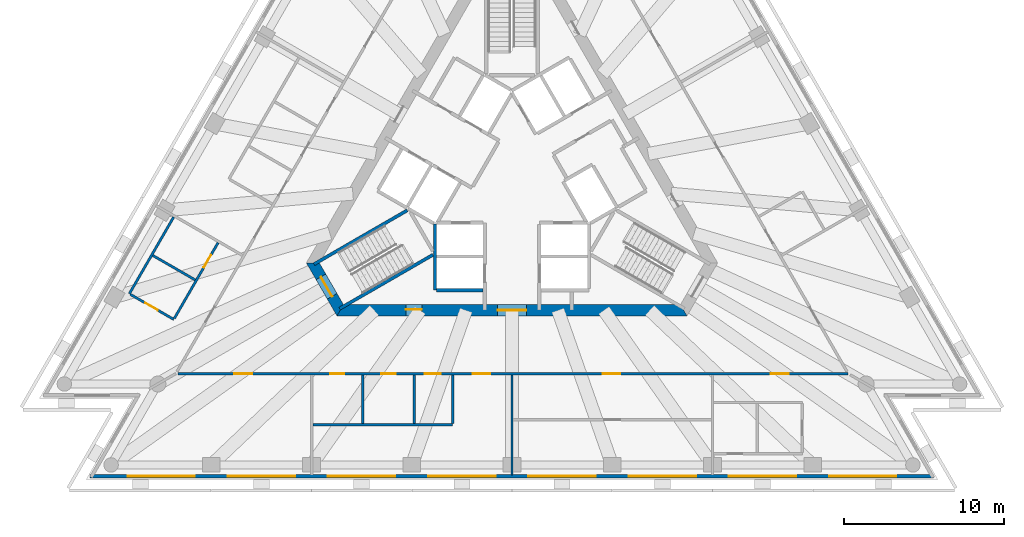
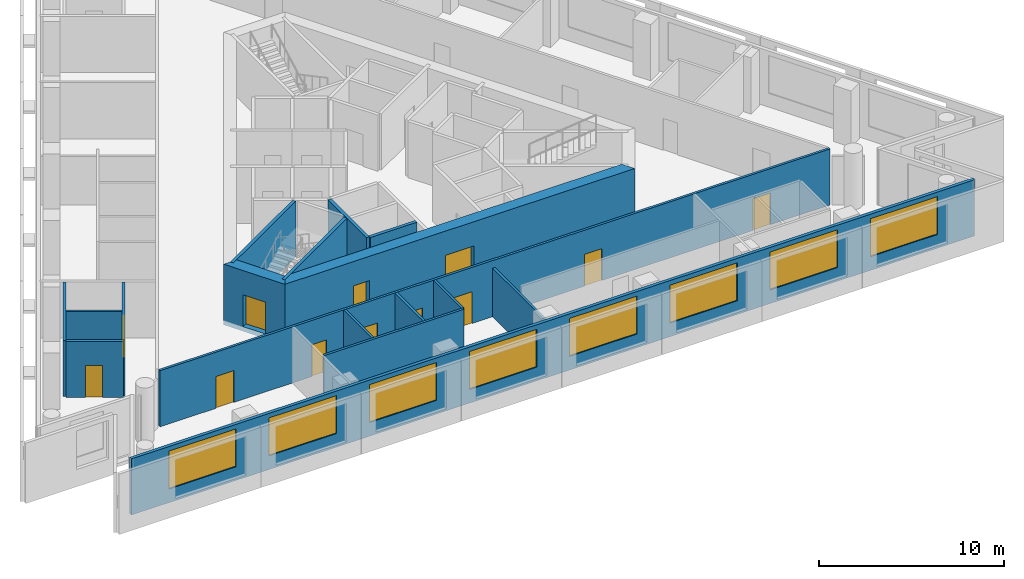
# One storey, part 3 of 10: 17 walls, 12 doors, 8 windows, 20 openings.
"""IFC4 building model written with IfcOpenShell, lengths in metres."""

from ifc_helpers import new_model, si_unit, direction, frame, frame_2d, origin, place, context, subcontext, project, spatial, polyline, rectangle, outline, extrude, material, layer, layer_set, layer_usage, type_object, element, fill, save


model = new_model("IFC4")

# Units and contexts
model_context = context("Model", 3, precision=1e-05, world=origin(), true_north=direction((0.0, 1.0)))
body_context = subcontext(model_context, "Body", "Model", "MODEL_VIEW")
ifc_project = project(units=[si_unit("LENGTHUNIT", "METRE"), si_unit("AREAUNIT", "SQUARE_METRE"), si_unit("VOLUMEUNIT", "CUBIC_METRE"), si_unit("PLANEANGLEUNIT", "RADIAN"), si_unit("MASSUNIT", "GRAM", prefix="KILO")], contexts=[model_context])

# Site, building, storey
site_placement = place(None, origin())
site = spatial("IfcSite", under=ifc_project, at=site_placement, CompositionType="ELEMENT")
building_placement = place(site_placement, origin())
building = spatial("IfcBuilding", under=site, at=building_placement, Name="Triada Interchange Tower", CompositionType="ELEMENT")
storey_placement = place(building_placement, frame((0.0, 0.0, 199.300048828125)))
storey = spatial("IfcBuildingStorey", under=building, at=storey_placement, Name="L46", CompositionType="ELEMENT", Elevation=199.300048828125)

# Walls
ifc_material_1 = material(Name="Concrete C30/37", Category="concrete")
ifc_layer_1 = layer(ifc_material_1, 0.199951171875)
ifc_layer_set_1 = layer_set([ifc_layer_1], Name="CORE WALL 200 EI 120")
wall_type_1 = type_object("IfcWallType", Name="CORE WALL 200 EI 120", PredefinedType="SOLIDWALL", material=ifc_layer_set_1)
wall_1_placement = place(storey_placement, frame((-4.800048828125, -6.89990234375, 0.0), z_axis=(0.0, 0.0, 1.0), x_axis=(0.0, 1.0, 0.0)))
element("IfcWall", 1, at=wall_1_placement, inside=storey, type_object=wall_type_1, Name="Wall L44 48", PredefinedType="SOLIDWALL", context=body_context, shape_type="SweptSolid", body=[
    extrude(rectangle(XDim=4.130859375, YDim=0.199951171875, at=frame_2d((2.0654296875, 0.0))), origin(), (0.0, 0.0, 1.0), 3.699951171875),
])
wall_2_placement = place(storey_placement, frame((-4.699951171875, -6.89990234375, 0.0), z_axis=(0.0, 0.0, 1.0), x_axis=(1.0, 0.0, 0.0)))
element("IfcWall", 2, at=wall_2_placement, inside=storey, type_object=wall_type_1, Name="Wall L44 49", PredefinedType="SOLIDWALL", context=body_context, shape_type="SweptSolid", body=[
    extrude(rectangle(XDim=2.89990234375, YDim=0.199951171875, at=frame_2d((1.449951171875, 0.0))), origin(), (0.0, 0.0, 1.0), 3.699951171875),
])
ifc_layer_2 = layer(ifc_material_1, 0.199951171875)
ifc_layer_set_2 = layer_set([ifc_layer_2], Name="CORE WALL 200 REI 240")
wall_type_2 = type_object("IfcWallType", Name="CORE WALL 200 REI 240", PredefinedType="SOLIDWALL", material=ifc_layer_set_2)
wall_3_placement = place(storey_placement, frame((-12.343994140625, -5.279052734375, 0.0), z_axis=(0.0, 0.0, 1.0), x_axis=(0.866046323291, 0.499963764601, 0.0)))
element("IfcWall", 3, at=wall_3_placement, inside=storey, type_object=wall_type_2, Name="Wall L44 88", PredefinedType="SOLIDWALL", context=body_context, shape_type="SweptSolid", body=[
    extrude(rectangle(XDim=6.71435546875, YDim=0.199951171875, at=frame_2d((3.357177734375, 0.0))), origin(), (0.0, 0.0, 1.0), 3.699951171875),
])
wall_4_placement = place(storey_placement, frame((-10.743896484375, -8.051025390625, 0.0), z_axis=(0.0, 0.0, 1.0), x_axis=(0.865983344943, 0.500072840975, 0.0)))
element("IfcWall", 4, at=wall_4_placement, inside=storey, type_object=wall_type_2, Name="Wall L44 90", PredefinedType="SOLIDWALL", context=body_context, shape_type="SweptSolid", body=[
    extrude(rectangle(XDim=6.71484375, YDim=0.199951171875, at=frame_2d((3.357421875, 0.0))), origin(), (0.0, 0.0, 1.0), 3.699951171875),
])

# Wall, opening, door
ifc_material_2 = material(Name="Concrete C50/60", Category="concrete")
ifc_layer_3 = layer(ifc_material_2, 0.699951171875)
ifc_layer_set_3 = layer_set([ifc_layer_3], Name="Core wall C 700")
wall_type_3 = type_object("IfcWallType", Name="Core wall C 700", PredefinedType="SHEAR", material=ifc_layer_set_3)
wall_5_placement = place(storey_placement, frame((-12.4130859375, -5.199951171875, -0.300048828125), z_axis=(0.0, 0.0, 1.0), x_axis=(0.49999337185, -0.866029230515, 0.0)))
wall_5 = element("IfcWall", 5, at=wall_5_placement, inside=storey, type_object=wall_type_3, Name="Core wall WC03 L46", PredefinedType="SHEAR", context=body_context, shape_type="SweptSolid", body=[
    extrude(outline(polyline([(-0.201904296875, -0.35009765625), (1.703125, -0.35009765625), (3.60791015625, -0.35009765625), (3.2041015625, 0.35009765625), (1.703125, 0.35009765625), (0.201904296875, 0.35009765625), (-0.201904296875, -0.35009765625)])), origin(), (0.0, 0.0, 1.0), 4.0),
])
opening_1_placement = place(wall_5_placement, frame((1.0029296875, 0.0, 0.300048828125)))
opening_1 = element("IfcOpeningElement", 6, at=opening_1_placement, cuts=wall_5, Name="Opening D44-41", PredefinedType="OPENING", context=body_context, shape_type="SweptSolid", body=[
    extrude(rectangle(XDim=1.39990234375, YDim=2.10009765625, at=frame_2d((0.699951171875, 1.050048828125))), frame((0.0, 0.360107421875, 0.0), z_axis=(0.0, -1.0, 0.0), x_axis=(1.0, 0.0, 0.0)), (0.0, 0.0, 1.0), 0.72021484375),
])
ifc_material_3 = material(Name="Steel S235 door leaf", Category="steel")
door_type_1 = type_object("IfcDoorType", Name="STAIR DOOR 1400 EI2 90-C5S200", OperationType="DOUBLE_DOOR_SINGLE_SWING", PredefinedType="DOOR", material=ifc_material_3)
door_1_placement = place(opening_1_placement, origin())
door_1 = element("IfcDoor", 7, at=door_1_placement, inside=storey, type_object=door_type_1, Name="Door D44-41 L46", OperationType="DOUBLE_DOOR_SINGLE_SWING", OverallHeight=2.10009765625, OverallWidth=1.39990234375, PredefinedType="DOOR", context=body_context, shape_type="SweptSolid", body=[
    extrude(rectangle(XDim=1.39990234375, YDim=2.10009765625, at=frame_2d((0.699951171875, 1.050048828125))), frame((0.0, 0.02490234375, 0.0), z_axis=(0.0, -1.0, 0.0), x_axis=(1.0, 0.0, 0.0)), (0.0, 0.0, 1.0), 0.050048828125),
])
fill(opening_1, door_1)

# Wall, openings, doors
wall_6_placement = place(storey_placement, frame((-10.7099609375, -8.14990234375, -0.300048828125), z_axis=(0.0, 0.0, 1.0), x_axis=(1.0, 0.0, 0.0)))
wall_6 = element("IfcWall", 8, at=wall_6_placement, inside=storey, type_object=wall_type_3, Name="Core wall WC04 L46", PredefinedType="SHEAR", context=body_context, shape_type="SweptSolid", body=[
    extrude(outline(polyline([(-0.201904296875, -0.35009765625), (1.781982421875, -0.35009765625), (3.76611328125, -0.35009765625), (5.75, -0.35009765625), (7.734130859375, -0.35009765625), (9.718017578125, -0.35009765625), (11.7021484375, -0.35009765625), (13.68603515625, -0.35009765625), (15.670166015625, -0.35009765625), (17.654052734375, -0.35009765625), (19.63818359375, -0.35009765625), (21.6220703125, -0.35009765625), (21.218017578125, 0.35009765625), (19.307373046875, 0.35009765625), (17.39697265625, 0.35009765625), (15.486328125, 0.35009765625), (13.57568359375, 0.35009765625), (11.665283203125, 0.35009765625), (9.754638671875, 0.35009765625), (7.84423828125, 0.35009765625), (5.93359375, 0.35009765625), (4.02294921875, 0.35009765625), (2.112548828125, 0.35009765625), (0.201904296875, 0.35009765625), (-0.201904296875, -0.35009765625)])), origin(), (0.0, 0.0, 1.0), 4.0),
])
opening_2_placement = place(wall_6_placement, frame((9.81005859375, 0.0, 0.300048828125)))
opening_2 = element("IfcOpeningElement", 9, at=opening_2_placement, cuts=wall_6, Name="Opening D44-39", PredefinedType="OPENING", context=body_context, shape_type="SweptSolid", body=[
    extrude(rectangle(XDim=1.800048828125, YDim=2.10009765625, at=frame_2d((0.89990234375, 1.050048828125))), frame((0.0, 0.360107421875, 0.0), z_axis=(0.0, -1.0, 0.0), x_axis=(1.0, 0.0, 0.0)), (0.0, 0.0, 1.0), 0.72021484375),
])
opening_3_placement = place(wall_6_placement, frame((4.090087890625, 0.0, 0.300048828125)))
opening_3 = element("IfcOpeningElement", 10, at=opening_3_placement, cuts=wall_6, Name="Opening D44-44", PredefinedType="OPENING", context=body_context, shape_type="SweptSolid", body=[
    extrude(rectangle(XDim=1.0, YDim=2.10009765625, at=frame_2d((0.5, 1.050048828125))), frame((0.0, 0.360107421875, 0.0), z_axis=(0.0, -1.0, 0.0), x_axis=(1.0, 0.0, 0.0)), (0.0, 0.0, 1.0), 0.72021484375),
])
door_type_2 = type_object("IfcDoorType", Name="LOBBY DOOR 1800 EI2 90-C5S200", OperationType="DOUBLE_DOOR_SINGLE_SWING", PredefinedType="DOOR", material=ifc_material_3)
door_2_placement = place(opening_2_placement, origin())
door_2 = element("IfcDoor", 11, at=door_2_placement, inside=storey, type_object=door_type_2, Name="Door D44-39 L46", OperationType="DOUBLE_DOOR_SINGLE_SWING", OverallHeight=2.10009765625, OverallWidth=1.800048828125, PredefinedType="DOOR", context=body_context, shape_type="SweptSolid", body=[
    extrude(rectangle(XDim=1.800048828125, YDim=2.10009765625, at=frame_2d((0.89990234375, 1.050048828125))), frame((0.0, 0.02490234375, 0.0), z_axis=(0.0, -1.0, 0.0), x_axis=(1.0, 0.0, 0.0)), (0.0, 0.0, 1.0), 0.050048828125),
])
fill(opening_2, door_2)
door_type_3 = type_object("IfcDoorType", Name="SERVICE DOOR 1000 EI2 45-C5S200", OperationType="NOTDEFINED", PredefinedType="DOOR", material=ifc_material_3)
door_3_placement = place(opening_3_placement, origin())
door_3 = element("IfcDoor", 12, at=door_3_placement, inside=storey, type_object=door_type_3, Name="Door D44-44 L46", OperationType="SINGLE_SWING_RIGHT", OverallHeight=2.10009765625, OverallWidth=1.0, PredefinedType="DOOR", context=body_context, shape_type="SweptSolid", body=[
    extrude(rectangle(XDim=1.0, YDim=2.10009765625, at=frame_2d((0.5, 1.050048828125))), frame((0.0, 0.0751953125, 0.0), z_axis=(0.0, -1.0, 0.0), x_axis=(1.0, 0.0, 0.0)), (0.0, 0.0, 1.0), 0.050048828125),
])
fill(opening_3, door_3)

# Wall, openings, windows
ifc_material_4 = material(Name="Cement board")
ifc_layer_4 = layer(ifc_material_4, 0.02001953125, Name="Cement board cladding")
ifc_material_5 = material(Name="Sheathing board")
ifc_layer_5 = layer(ifc_material_5, 0.014892578125, Name="Sheathing board")
ifc_material_6 = material(Name="Mineral wool")
ifc_layer_6 = layer(ifc_material_6, 0.14990234375, Name="Mineral wool between steel studs")
ifc_material_7 = material(Name="Gypsum board")
ifc_layer_7 = layer(ifc_material_7, 0.014892578125, Name="Plasterboard lining")
ifc_layer_set_4 = layer_set([ifc_layer_4, ifc_layer_5, ifc_layer_6, ifc_layer_7], Name="External wall 200")
ifc_layer_usage = layer_usage(ifc_layer_set_4, "AXIS2", "POSITIVE", -0.10009765625)
wall_type_4 = type_object("IfcWallType", Name="External wall 200", PredefinedType="ELEMENTEDWALL", material=ifc_layer_set_4)
wall_7_placement = place(storey_placement, frame((-26.2958984375, -18.4951171875, 0.0), z_axis=(0.0, 0.0, 1.0), x_axis=(1.0, 0.0, 0.0)))
wall_7 = element("IfcWall", 13, at=wall_7_placement, inside=storey, type_object=wall_type_4, material=ifc_layer_usage, Name="External wall L46 S", PredefinedType="ELEMENTEDWALL", context=body_context, shape_type="SweptSolid", body=[
    extrude(rectangle(XDim=52.57177734375, YDim=0.199951171875, at=frame_2d((26.285888671875, 0.0))), origin(), (0.0, 0.0, 1.0), 3.699951171875),
])
opening_4_placement = place(wall_7_placement, frame((2.326904296875, 0.0, 0.89990234375)))
opening_4 = element("IfcOpeningElement", 14, at=opening_4_placement, cuts=wall_7, Name="Opening WC11", PredefinedType="OPENING", context=body_context, shape_type="SweptSolid", body=[
    extrude(rectangle(XDim=4.199951171875, YDim=2.5, at=frame_2d((2.10009765625, 1.25))), frame((0.0, 0.10986328125, 0.0), z_axis=(0.0, -1.0, 0.0), x_axis=(1.0, 0.0, 0.0)), (0.0, 0.0, 1.0), 0.219970703125),
])
opening_5_placement = place(wall_7_placement, frame((8.574951171875, 0.0, 0.89990234375)))
opening_5 = element("IfcOpeningElement", 15, at=opening_5_placement, cuts=wall_7, Name="Opening WC12", PredefinedType="OPENING", context=body_context, shape_type="SweptSolid", body=[
    extrude(rectangle(XDim=4.199951171875, YDim=2.5, at=frame_2d((2.10009765625, 1.25))), frame((0.0, 0.10986328125, 0.0), z_axis=(0.0, -1.0, 0.0), x_axis=(1.0, 0.0, 0.0)), (0.0, 0.0, 1.0), 0.219970703125),
])
opening_6_placement = place(wall_7_placement, frame((14.823974609375, 0.0, 0.89990234375)))
opening_6 = element("IfcOpeningElement", 16, at=opening_6_placement, cuts=wall_7, Name="Opening WC13", PredefinedType="OPENING", context=body_context, shape_type="SweptSolid", body=[
    extrude(rectangle(XDim=4.199951171875, YDim=2.5, at=frame_2d((2.10009765625, 1.25))), frame((0.0, 0.10986328125, 0.0), z_axis=(0.0, -1.0, 0.0), x_axis=(1.0, 0.0, 0.0)), (0.0, 0.0, 1.0), 0.219970703125),
])
opening_7_placement = place(wall_7_placement, frame((21.072021484375, 0.0, 0.89990234375)))
opening_7 = element("IfcOpeningElement", 17, at=opening_7_placement, cuts=wall_7, Name="Opening WC14", PredefinedType="OPENING", context=body_context, shape_type="SweptSolid", body=[
    extrude(rectangle(XDim=4.199951171875, YDim=2.5, at=frame_2d((2.10009765625, 1.25))), frame((0.0, 0.10986328125, 0.0), z_axis=(0.0, -1.0, 0.0), x_axis=(1.0, 0.0, 0.0)), (0.0, 0.0, 1.0), 0.219970703125),
])
opening_8_placement = place(wall_7_placement, frame((27.320068359375, 0.0, 0.89990234375)))
opening_8 = element("IfcOpeningElement", 18, at=opening_8_placement, cuts=wall_7, Name="Opening WC15", PredefinedType="OPENING", context=body_context, shape_type="SweptSolid", body=[
    extrude(rectangle(XDim=4.199951171875, YDim=2.5, at=frame_2d((2.10009765625, 1.25))), frame((0.0, 0.10986328125, 0.0), z_axis=(0.0, -1.0, 0.0), x_axis=(1.0, 0.0, 0.0)), (0.0, 0.0, 1.0), 0.219970703125),
])
opening_9_placement = place(wall_7_placement, frame((33.568115234375, 0.0, 0.89990234375)))
opening_9 = element("IfcOpeningElement", 19, at=opening_9_placement, cuts=wall_7, Name="Opening WC16", PredefinedType="OPENING", context=body_context, shape_type="SweptSolid", body=[
    extrude(rectangle(XDim=4.199951171875, YDim=2.5, at=frame_2d((2.10009765625, 1.25))), frame((0.0, 0.10986328125, 0.0), z_axis=(0.0, -1.0, 0.0), x_axis=(1.0, 0.0, 0.0)), (0.0, 0.0, 1.0), 0.219970703125),
])
opening_10_placement = place(wall_7_placement, frame((39.81689453125, 0.0, 0.89990234375)))
opening_10 = element("IfcOpeningElement", 20, at=opening_10_placement, cuts=wall_7, Name="Opening WC17", PredefinedType="OPENING", context=body_context, shape_type="SweptSolid", body=[
    extrude(rectangle(XDim=4.199951171875, YDim=2.5, at=frame_2d((2.10009765625, 1.25))), frame((0.0, 0.10986328125, 0.0), z_axis=(0.0, -1.0, 0.0), x_axis=(1.0, 0.0, 0.0)), (0.0, 0.0, 1.0), 0.219970703125),
])
opening_11_placement = place(wall_7_placement, frame((46.06494140625, 0.0, 0.89990234375)))
opening_11 = element("IfcOpeningElement", 21, at=opening_11_placement, cuts=wall_7, Name="Opening WC18", PredefinedType="OPENING", context=body_context, shape_type="SweptSolid", body=[
    extrude(rectangle(XDim=4.199951171875, YDim=2.5, at=frame_2d((2.10009765625, 1.25))), frame((0.0, 0.10986328125, 0.0), z_axis=(0.0, -1.0, 0.0), x_axis=(1.0, 0.0, 0.0)), (0.0, 0.0, 1.0), 0.219970703125),
])
ifc_material_8 = material(Name="Double glazed aluminium window", Category="aluminium")
window_type = type_object("IfcWindowType", Name="Ribbon window C face", PartitioningType="SINGLE_PANEL", PredefinedType="WINDOW", material=ifc_material_8)
window_1_placement = place(opening_4_placement, origin())
window_1 = element("IfcWindow", 22, at=window_1_placement, inside=storey, type_object=window_type, Name="Window L46 S 1", OverallHeight=2.5, OverallWidth=4.199951171875, PartitioningType="SINGLE_PANEL", PredefinedType="WINDOW", context=body_context, shape_type="SweptSolid", body=[
    extrude(rectangle(XDim=4.199951171875, YDim=2.5, at=frame_2d((2.10009765625, 1.25))), frame((0.0, 0.030029296875, 0.0), z_axis=(0.0, -1.0, 0.0), x_axis=(1.0, 0.0, 0.0)), (0.0, 0.0, 1.0), 0.06005859375),
])
fill(opening_4, window_1)
window_2_placement = place(opening_5_placement, origin())
window_2 = element("IfcWindow", 23, at=window_2_placement, inside=storey, type_object=window_type, Name="Window L46 S 2", OverallHeight=2.5, OverallWidth=4.199951171875, PartitioningType="SINGLE_PANEL", PredefinedType="WINDOW", context=body_context, shape_type="SweptSolid", body=[
    extrude(rectangle(XDim=4.199951171875, YDim=2.5, at=frame_2d((2.10009765625, 1.25))), frame((0.0, 0.030029296875, 0.0), z_axis=(0.0, -1.0, 0.0), x_axis=(1.0, 0.0, 0.0)), (0.0, 0.0, 1.0), 0.06005859375),
])
fill(opening_5, window_2)
window_3_placement = place(opening_6_placement, origin())
window_3 = element("IfcWindow", 24, at=window_3_placement, inside=storey, type_object=window_type, Name="Window L46 S 3", OverallHeight=2.5, OverallWidth=4.199951171875, PartitioningType="SINGLE_PANEL", PredefinedType="WINDOW", context=body_context, shape_type="SweptSolid", body=[
    extrude(rectangle(XDim=4.199951171875, YDim=2.5, at=frame_2d((2.10009765625, 1.25))), frame((0.0, 0.030029296875, 0.0), z_axis=(0.0, -1.0, 0.0), x_axis=(1.0, 0.0, 0.0)), (0.0, 0.0, 1.0), 0.06005859375),
])
fill(opening_6, window_3)
window_4_placement = place(opening_7_placement, origin())
window_4 = element("IfcWindow", 25, at=window_4_placement, inside=storey, type_object=window_type, Name="Window L46 S 4", OverallHeight=2.5, OverallWidth=4.199951171875, PartitioningType="SINGLE_PANEL", PredefinedType="WINDOW", context=body_context, shape_type="SweptSolid", body=[
    extrude(rectangle(XDim=4.199951171875, YDim=2.5, at=frame_2d((2.10009765625, 1.25))), frame((0.0, 0.030029296875, 0.0), z_axis=(0.0, -1.0, 0.0), x_axis=(1.0, 0.0, 0.0)), (0.0, 0.0, 1.0), 0.06005859375),
])
fill(opening_7, window_4)
window_5_placement = place(opening_8_placement, origin())
window_5 = element("IfcWindow", 26, at=window_5_placement, inside=storey, type_object=window_type, Name="Window L46 S 5", OverallHeight=2.5, OverallWidth=4.199951171875, PartitioningType="SINGLE_PANEL", PredefinedType="WINDOW", context=body_context, shape_type="SweptSolid", body=[
    extrude(rectangle(XDim=4.199951171875, YDim=2.5, at=frame_2d((2.10009765625, 1.25))), frame((0.0, 0.030029296875, 0.0), z_axis=(0.0, -1.0, 0.0), x_axis=(1.0, 0.0, 0.0)), (0.0, 0.0, 1.0), 0.06005859375),
])
fill(opening_8, window_5)
window_6_placement = place(opening_9_placement, origin())
window_6 = element("IfcWindow", 27, at=window_6_placement, inside=storey, type_object=window_type, Name="Window L46 S 6", OverallHeight=2.5, OverallWidth=4.199951171875, PartitioningType="SINGLE_PANEL", PredefinedType="WINDOW", context=body_context, shape_type="SweptSolid", body=[
    extrude(rectangle(XDim=4.199951171875, YDim=2.5, at=frame_2d((2.10009765625, 1.25))), frame((0.0, 0.030029296875, 0.0), z_axis=(0.0, -1.0, 0.0), x_axis=(1.0, 0.0, 0.0)), (0.0, 0.0, 1.0), 0.06005859375),
])
fill(opening_9, window_6)
window_7_placement = place(opening_10_placement, origin())
window_7 = element("IfcWindow", 28, at=window_7_placement, inside=storey, type_object=window_type, Name="Window L46 S 7", OverallHeight=2.5, OverallWidth=4.199951171875, PartitioningType="SINGLE_PANEL", PredefinedType="WINDOW", context=body_context, shape_type="SweptSolid", body=[
    extrude(rectangle(XDim=4.199951171875, YDim=2.5, at=frame_2d((2.10009765625, 1.25))), frame((0.0, 0.030029296875, 0.0), z_axis=(0.0, -1.0, 0.0), x_axis=(1.0, 0.0, 0.0)), (0.0, 0.0, 1.0), 0.06005859375),
])
fill(opening_10, window_7)
window_8_placement = place(opening_11_placement, origin())
window_8 = element("IfcWindow", 29, at=window_8_placement, inside=storey, type_object=window_type, Name="Window L46 S 8", OverallHeight=2.5, OverallWidth=4.199951171875, PartitioningType="SINGLE_PANEL", PredefinedType="WINDOW", context=body_context, shape_type="SweptSolid", body=[
    extrude(rectangle(XDim=4.199951171875, YDim=2.5, at=frame_2d((2.10009765625, 1.25))), frame((0.0, 0.030029296875, 0.0), z_axis=(0.0, -1.0, 0.0), x_axis=(1.0, 0.0, 0.0)), (0.0, 0.0, 1.0), 0.06005859375),
])
fill(opening_11, window_8)

# Wall, openings, doors
ifc_material_9 = material(Name="Gypsum board partition")
ifc_layer_8 = layer(ifc_material_9, 0.14990234375)
ifc_layer_set_5 = layer_set([ifc_layer_8], Name="PARTITION 150 EI 180")
wall_type_5 = type_object("IfcWallType", Name="PARTITION 150 EI 180", PredefinedType="PARTITIONING", material=ifc_layer_set_5)
wall_8_placement = place(storey_placement, frame((-20.80810546875, -12.10009765625, 0.0), z_axis=(0.0, 0.0, 1.0), x_axis=(1.0, 0.0, 0.0)))
wall_8 = element("IfcWall", 30, at=wall_8_placement, inside=storey, type_object=wall_type_5, Name="Wall L44 5", PredefinedType="PARTITIONING", context=body_context, shape_type="SweptSolid", body=[
    extrude(rectangle(XDim=41.76611328125, YDim=0.14990234375, at=frame_2d((20.883056640625, 0.0))), origin(), (0.0, 0.0, 1.0), 3.699951171875),
])
opening_12_placement = place(wall_8_placement, frame((3.5, 0.0, 0.0)))
opening_12 = element("IfcOpeningElement", 31, at=opening_12_placement, cuts=wall_8, Name="Opening D44-11", PredefinedType="OPENING", context=body_context, shape_type="SweptSolid", body=[
    extrude(rectangle(XDim=1.10009765625, YDim=2.10009765625, at=frame_2d((0.550048828125, 1.050048828125))), frame((0.0, 0.0849609375, 0.0), z_axis=(0.0, -1.0, 0.0), x_axis=(1.0, 0.0, 0.0)), (0.0, 0.0, 1.0), 0.169921875),
])
opening_13_placement = place(wall_8_placement, frame((18.362060546875, 0.0, 0.0)))
opening_13 = element("IfcOpeningElement", 32, at=opening_13_placement, cuts=wall_8, Name="Opening D44-12", PredefinedType="OPENING", context=body_context, shape_type="SweptSolid", body=[
    extrude(rectangle(XDim=1.10009765625, YDim=2.10009765625, at=frame_2d((0.550048828125, 1.050048828125))), frame((0.0, 0.0849609375, 0.0), z_axis=(0.0, -1.0, 0.0), x_axis=(1.0, 0.0, 0.0)), (0.0, 0.0, 1.0), 0.169921875),
])
opening_14_placement = place(wall_8_placement, frame((9.4619140625, 0.0, 0.0)))
opening_14 = element("IfcOpeningElement", 33, at=opening_14_placement, cuts=wall_8, Name="Opening D44-13", PredefinedType="OPENING", context=body_context, shape_type="SweptSolid", body=[
    extrude(rectangle(XDim=0.89990234375, YDim=2.10009765625, at=frame_2d((0.449951171875, 1.050048828125))), frame((0.0, 0.0849609375, 0.0), z_axis=(0.0, -1.0, 0.0), x_axis=(1.0, 0.0, 0.0)), (0.0, 0.0, 1.0), 0.169921875),
])
opening_15_placement = place(wall_8_placement, frame((12.662109375, 0.0, 0.0)))
opening_15 = element("IfcOpeningElement", 34, at=opening_15_placement, cuts=wall_8, Name="Opening D44-14", PredefinedType="OPENING", context=body_context, shape_type="SweptSolid", body=[
    extrude(rectangle(XDim=0.89990234375, YDim=2.10009765625, at=frame_2d((0.449951171875, 1.050048828125))), frame((0.0, 0.0849609375, 0.0), z_axis=(0.0, -1.0, 0.0), x_axis=(1.0, 0.0, 0.0)), (0.0, 0.0, 1.0), 0.169921875),
])
opening_16_placement = place(wall_8_placement, frame((15.362060546875, 0.0, 0.0)))
opening_16 = element("IfcOpeningElement", 35, at=opening_16_placement, cuts=wall_8, Name="Opening D44-15", PredefinedType="OPENING", context=body_context, shape_type="SweptSolid", body=[
    extrude(rectangle(XDim=1.0, YDim=2.10009765625, at=frame_2d((0.5, 1.050048828125))), frame((0.0, 0.0849609375, 0.0), z_axis=(0.0, -1.0, 0.0), x_axis=(1.0, 0.0, 0.0)), (0.0, 0.0, 1.0), 0.169921875),
])
opening_17_placement = place(wall_8_placement, frame((26.4580078125, 0.0, 0.0)))
opening_17 = element("IfcOpeningElement", 36, at=opening_17_placement, cuts=wall_8, Name="Opening D44-16", PredefinedType="OPENING", context=body_context, shape_type="SweptSolid", body=[
    extrude(rectangle(XDim=1.10009765625, YDim=2.10009765625, at=frame_2d((0.550048828125, 1.050048828125))), frame((0.0, 0.0849609375, 0.0), z_axis=(0.0, -1.0, 0.0), x_axis=(1.0, 0.0, 0.0)), (0.0, 0.0, 1.0), 0.169921875),
])
opening_18_placement = place(wall_8_placement, frame((36.955078125, 0.0, 0.0)))
opening_18 = element("IfcOpeningElement", 37, at=opening_18_placement, cuts=wall_8, Name="Opening D44-18", PredefinedType="OPENING", context=body_context, shape_type="SweptSolid", body=[
    extrude(rectangle(XDim=1.10009765625, YDim=2.10009765625, at=frame_2d((0.550048828125, 1.050048828125))), frame((0.0, 0.0849609375, 0.0), z_axis=(0.0, -1.0, 0.0), x_axis=(1.0, 0.0, 0.0)), (0.0, 0.0, 1.0), 0.169921875),
])
door_type_4 = type_object("IfcDoorType", Name="ROOM DOOR 1000 EI2 90-C5S200", OperationType="NOTDEFINED", PredefinedType="DOOR", material=ifc_material_3)
door_4_placement = place(opening_16_placement, origin())
door_4 = element("IfcDoor", 38, at=door_4_placement, inside=storey, type_object=door_type_4, Name="Door D44-15 L46", OperationType="SINGLE_SWING_LEFT", OverallHeight=2.10009765625, OverallWidth=1.0, PredefinedType="DOOR", context=body_context, shape_type="SweptSolid", body=[
    extrude(rectangle(XDim=1.0, YDim=2.10009765625, at=frame_2d((0.5, 1.050048828125))), frame((0.0, 0.02490234375, 0.0), z_axis=(0.0, -1.0, 0.0), x_axis=(1.0, 0.0, 0.0)), (0.0, 0.0, 1.0), 0.050048828125),
])
fill(opening_16, door_4)
door_type_5 = type_object("IfcDoorType", Name="ROOM DOOR 900 EI2 90-C5S200", OperationType="NOTDEFINED", PredefinedType="DOOR", material=ifc_material_3)
door_5_placement = place(opening_14_placement, origin())
door_5 = element("IfcDoor", 39, at=door_5_placement, inside=storey, type_object=door_type_5, Name="Door D44-13 L46", OperationType="SINGLE_SWING_RIGHT", OverallHeight=2.10009765625, OverallWidth=0.89990234375, PredefinedType="DOOR", context=body_context, shape_type="SweptSolid", body=[
    extrude(rectangle(XDim=0.89990234375, YDim=2.10009765625, at=frame_2d((0.449951171875, 1.050048828125))), frame((0.0, 0.02490234375, 0.0), z_axis=(0.0, -1.0, 0.0), x_axis=(1.0, 0.0, 0.0)), (0.0, 0.0, 1.0), 0.050048828125),
])
fill(opening_14, door_5)
door_6_placement = place(opening_15_placement, origin())
door_6 = element("IfcDoor", 40, at=door_6_placement, inside=storey, type_object=door_type_5, Name="Door D44-14 L46", OperationType="SINGLE_SWING_RIGHT", OverallHeight=2.10009765625, OverallWidth=0.89990234375, PredefinedType="DOOR", context=body_context, shape_type="SweptSolid", body=[
    extrude(rectangle(XDim=0.89990234375, YDim=2.10009765625, at=frame_2d((0.449951171875, 1.050048828125))), frame((0.0, 0.02490234375, 0.0), z_axis=(0.0, -1.0, 0.0), x_axis=(1.0, 0.0, 0.0)), (0.0, 0.0, 1.0), 0.050048828125),
])
fill(opening_15, door_6)
door_type_6 = type_object("IfcDoorType", Name="TENANCY ENTRANCE DOOR 1100 EI2 90-C5S200", OperationType="NOTDEFINED", PredefinedType="DOOR", material=ifc_material_3)
door_7_placement = place(opening_12_placement, origin())
door_7 = element("IfcDoor", 41, at=door_7_placement, inside=storey, type_object=door_type_6, Name="Door D44-11 L46", OperationType="SINGLE_SWING_RIGHT", OverallHeight=2.10009765625, OverallWidth=1.10009765625, PredefinedType="DOOR", context=body_context, shape_type="SweptSolid", body=[
    extrude(rectangle(XDim=1.10009765625, YDim=2.10009765625, at=frame_2d((0.550048828125, 1.050048828125))), frame((0.0, 0.02490234375, 0.0), z_axis=(0.0, -1.0, 0.0), x_axis=(1.0, 0.0, 0.0)), (0.0, 0.0, 1.0), 0.050048828125),
])
fill(opening_12, door_7)
door_8_placement = place(opening_13_placement, origin())
door_8 = element("IfcDoor", 42, at=door_8_placement, inside=storey, type_object=door_type_6, Name="Door D44-12 L46", OperationType="SINGLE_SWING_LEFT", OverallHeight=2.10009765625, OverallWidth=1.10009765625, PredefinedType="DOOR", context=body_context, shape_type="SweptSolid", body=[
    extrude(rectangle(XDim=1.10009765625, YDim=2.10009765625, at=frame_2d((0.550048828125, 1.050048828125))), frame((0.0, 0.02490234375, 0.0), z_axis=(0.0, -1.0, 0.0), x_axis=(1.0, 0.0, 0.0)), (0.0, 0.0, 1.0), 0.050048828125),
])
fill(opening_13, door_8)
door_9_placement = place(opening_17_placement, origin())
door_9 = element("IfcDoor", 43, at=door_9_placement, inside=storey, type_object=door_type_6, Name="Door D44-16 L46", OperationType="SINGLE_SWING_LEFT", OverallHeight=2.10009765625, OverallWidth=1.10009765625, PredefinedType="DOOR", context=body_context, shape_type="SweptSolid", body=[
    extrude(rectangle(XDim=1.10009765625, YDim=2.10009765625, at=frame_2d((0.550048828125, 1.050048828125))), frame((0.0, 0.02490234375, 0.0), z_axis=(0.0, -1.0, 0.0), x_axis=(1.0, 0.0, 0.0)), (0.0, 0.0, 1.0), 0.050048828125),
])
fill(opening_17, door_9)
door_10_placement = place(opening_18_placement, origin())
door_10 = element("IfcDoor", 44, at=door_10_placement, inside=storey, type_object=door_type_6, Name="Door D44-18 L46", OperationType="SINGLE_SWING_LEFT", OverallHeight=2.10009765625, OverallWidth=1.10009765625, PredefinedType="DOOR", context=body_context, shape_type="SweptSolid", body=[
    extrude(rectangle(XDim=1.10009765625, YDim=2.10009765625, at=frame_2d((0.550048828125, 1.050048828125))), frame((0.0, 0.02490234375, 0.0), z_axis=(0.0, -1.0, 0.0), x_axis=(1.0, 0.0, 0.0)), (0.0, 0.0, 1.0), 0.050048828125),
])
fill(opening_18, door_10)

# Walls
wall_9_placement = place(storey_placement, frame((-12.4208984375, -15.297119140625, 0.0), z_axis=(0.0, 0.0, 1.0), x_axis=(1.0, 0.0, 0.0)))
element("IfcWall", 45, at=wall_9_placement, inside=storey, type_object=wall_type_5, Name="Wall L44 14", PredefinedType="PARTITIONING", context=body_context, shape_type="SweptSolid", body=[
    extrude(rectangle(XDim=8.724853515625, YDim=0.14990234375, at=frame_2d((4.3623046875, 0.0))), origin(), (0.0, 0.0, 1.0), 3.699951171875),
])
for number, where, z_axis, x_axis, name in (
    (46, (-9.2958984375, -15.221923828125, 0.0), (0.0, 0.0, 1.0), (0.0, 1.0, 0.0), "Wall L44 16"),
    (47, (-3.696044921875, -15.221923828125, 0.0), (0.0, 0.0, 1.0), (0.0, 1.0, 0.0), "Wall L44 17"),
    (48, (-6.095947265625, -15.221923828125, 0.0), (0.0, 0.0, 1.0), (0.0, 1.0, 0.0), "Wall L44 18"),
):
    element("IfcWall", number, at=place(storey_placement, frame(where, z_axis=z_axis, x_axis=x_axis)), inside=storey, type_object=wall_type_5, Name=name, PredefinedType="PARTITIONING", context=body_context, shape_type="SweptSolid", body=[
        extrude(rectangle(XDim=3.046875, YDim=0.14990234375, at=frame_2d((1.5234375, 0.0))), origin(), (0.0, 0.0, 1.0), 3.699951171875),
    ])
wall_10_placement = place(storey_placement, frame((0.0, -18.4150390625, 0.0), z_axis=(0.0, 0.0, 1.0), x_axis=(0.0, 1.0, 0.0)))
element("IfcWall", 49, at=wall_10_placement, inside=storey, type_object=wall_type_5, Name="Wall L44 19", PredefinedType="PARTITIONING", context=body_context, shape_type="SweptSolid", body=[
    extrude(rectangle(XDim=6.239990234375, YDim=0.14990234375, at=frame_2d((3.1201171875, 0.0))), origin(), (0.0, 0.0, 1.0), 3.199951171875),
])
ifc_layer_9 = layer(ifc_material_9, 0.14990234375)
ifc_layer_set_6 = layer_set([ifc_layer_9], Name="PARTITION 150 EI 90")
wall_type_6 = type_object("IfcWallType", Name="PARTITION 150 EI 90", PredefinedType="PARTITIONING", material=ifc_layer_set_6)
wall_11_placement = place(storey_placement, frame((-23.85498046875, -7.123046875, 0.0), z_axis=(0.0, 0.0, 1.0), x_axis=(0.499994082372, 0.866028820302, 0.0)))
element("IfcWall", 50, at=wall_11_placement, inside=storey, type_object=wall_type_6, Name="Wall L44 27", PredefinedType="PARTITIONING", context=body_context, shape_type="SweptSolid", body=[
    extrude(rectangle(XDim=5.52392578125, YDim=0.14990234375, at=frame_2d((2.761962890625, 0.0))), origin(), (0.0, 0.0, 1.0), 3.699951171875),
])

# Wall, opening, door
wall_12_placement = place(storey_placement, frame((-23.7900390625, -7.160888671875, 0.0), z_axis=(0.0, 0.0, 1.0), x_axis=(0.866050172578, -0.499957096737, 0.0)))
wall_12 = element("IfcWall", 51, at=wall_12_placement, inside=storey, type_object=wall_type_6, Name="Wall L44 29", PredefinedType="PARTITIONING", context=body_context, shape_type="SweptSolid", body=[
    extrude(rectangle(XDim=3.122314453125, YDim=0.14990234375, at=frame_2d((1.56103515625, 0.0))), origin(), (0.0, 0.0, 1.0), 3.699951171875),
])
opening_19_placement = place(wall_12_placement, frame((1.072021484375, 0.0, 0.0)))
opening_19 = element("IfcOpeningElement", 52, at=opening_19_placement, cuts=wall_12, Name="Opening D44-38", PredefinedType="OPENING", context=body_context, shape_type="SweptSolid", body=[
    extrude(rectangle(XDim=0.89990234375, YDim=2.10009765625, at=frame_2d((0.449951171875, 1.050048828125))), frame((0.0, 0.0849609375, 0.0), z_axis=(0.0, -1.0, 0.0), x_axis=(1.0, 0.0, 0.0)), (0.0, 0.0, 1.0), 0.169921875),
])
door_type_7 = type_object("IfcDoorType", Name="ROOM DOOR 900 EI2 45-C5S200", OperationType="NOTDEFINED", PredefinedType="DOOR", material=ifc_material_3)
door_11_placement = place(opening_19_placement, origin())
door_11 = element("IfcDoor", 53, at=door_11_placement, inside=storey, type_object=door_type_7, Name="Door D44-38 L46", OperationType="SINGLE_SWING_LEFT", OverallHeight=2.10009765625, OverallWidth=0.89990234375, PredefinedType="DOOR", context=body_context, shape_type="SweptSolid", body=[
    extrude(rectangle(XDim=0.89990234375, YDim=2.10009765625, at=frame_2d((0.449951171875, 1.050048828125))), frame((0.0, 0.02490234375, 0.0), z_axis=(0.0, -1.0, 0.0), x_axis=(1.0, 0.0, 0.0)), (0.0, 0.0, 1.0), 0.050048828125),
])
fill(opening_19, door_11)

wall_13_placement = place(storey_placement, frame((-21.049072265625, -8.656982421875, 0.0), z_axis=(0.0, 0.0, 1.0), x_axis=(0.500002931134, 0.866023711487, 0.0)))
wall_13 = element("IfcWall", 54, at=wall_13_placement, inside=storey, type_object=wall_type_6, Name="Wall L44 30", PredefinedType="PARTITIONING", context=body_context, shape_type="SweptSolid", body=[
    extrude(rectangle(XDim=5.4501953125, YDim=0.14990234375, at=frame_2d((2.72509765625, 0.0))), origin(), (0.0, 0.0, 1.0), 3.699951171875),
])
opening_20_placement = place(wall_13_placement, frame((3.675048828125, 0.0, 0.0)))
opening_20 = element("IfcOpeningElement", 55, at=opening_20_placement, cuts=wall_13, Name="Opening D44-37", PredefinedType="OPENING", context=body_context, shape_type="SweptSolid", body=[
    extrude(rectangle(XDim=0.89990234375, YDim=2.10009765625, at=frame_2d((0.449951171875, 1.050048828125))), frame((0.0, 0.0849609375, 0.0), z_axis=(0.0, -1.0, 0.0), x_axis=(1.0, 0.0, 0.0)), (0.0, 0.0, 1.0), 0.169921875),
])
door_12_placement = place(opening_20_placement, origin())
door_12 = element("IfcDoor", 56, at=door_12_placement, inside=storey, type_object=door_type_7, Name="Door D44-37 L46", OperationType="SINGLE_SWING_RIGHT", OverallHeight=2.10009765625, OverallWidth=0.89990234375, PredefinedType="DOOR", context=body_context, shape_type="SweptSolid", body=[
    extrude(rectangle(XDim=0.89990234375, YDim=2.10009765625, at=frame_2d((0.449951171875, 1.050048828125))), frame((0.0, 0.02490234375, 0.0), z_axis=(0.0, -1.0, 0.0), x_axis=(1.0, 0.0, 0.0)), (0.0, 0.0, 1.0), 0.050048828125),
])
fill(opening_20, door_12)

# Wall
wall_14_placement = place(storey_placement, frame((-22.389892578125, -4.736083984375, 0.0), z_axis=(0.0, 0.0, 1.0), x_axis=(0.865976105257, -0.500085377835, 0.0)))
element("IfcWall", 57, at=wall_14_placement, inside=storey, type_object=wall_type_6, Name="Wall L44 32", PredefinedType="PARTITIONING", context=body_context, shape_type="SweptSolid", body=[
    extrude(rectangle(XDim=3.04736328125, YDim=0.14990234375, at=frame_2d((1.523681640625, 0.0))), origin(), (0.0, 0.0, 1.0), 3.699951171875),
])

save(model, "model.ifc")
